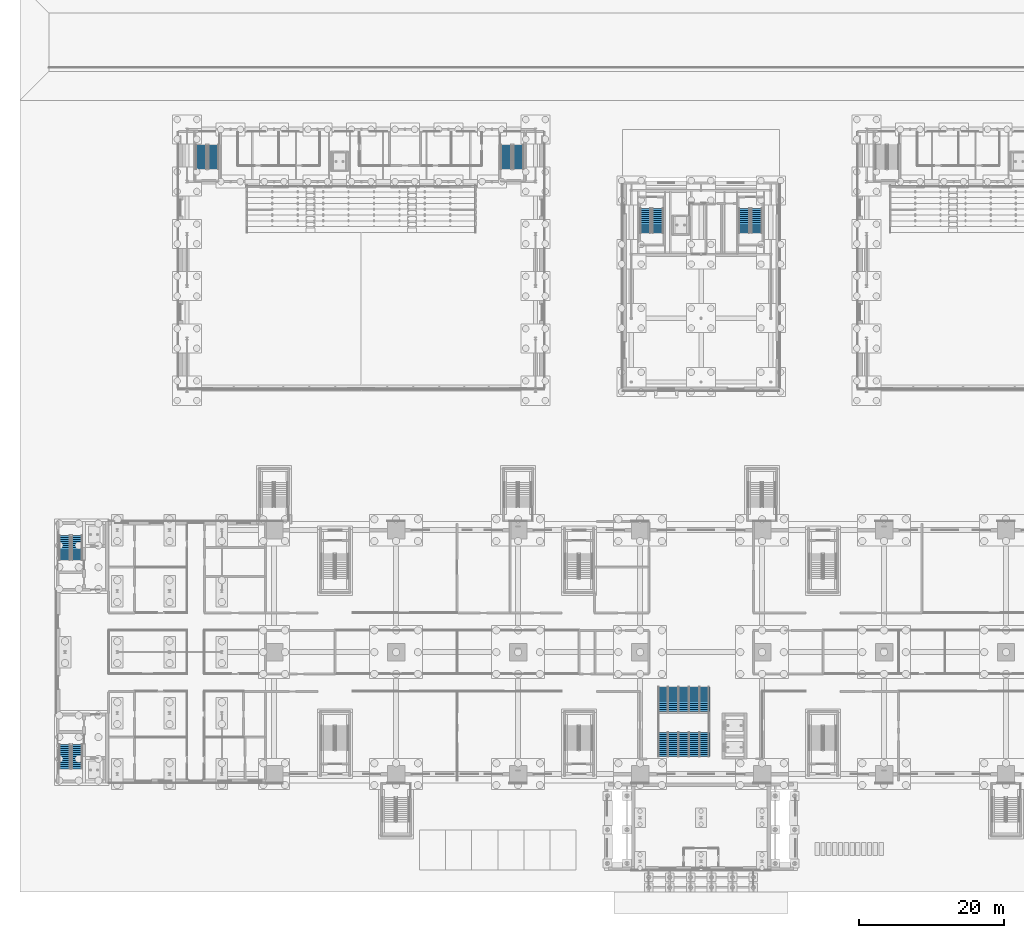
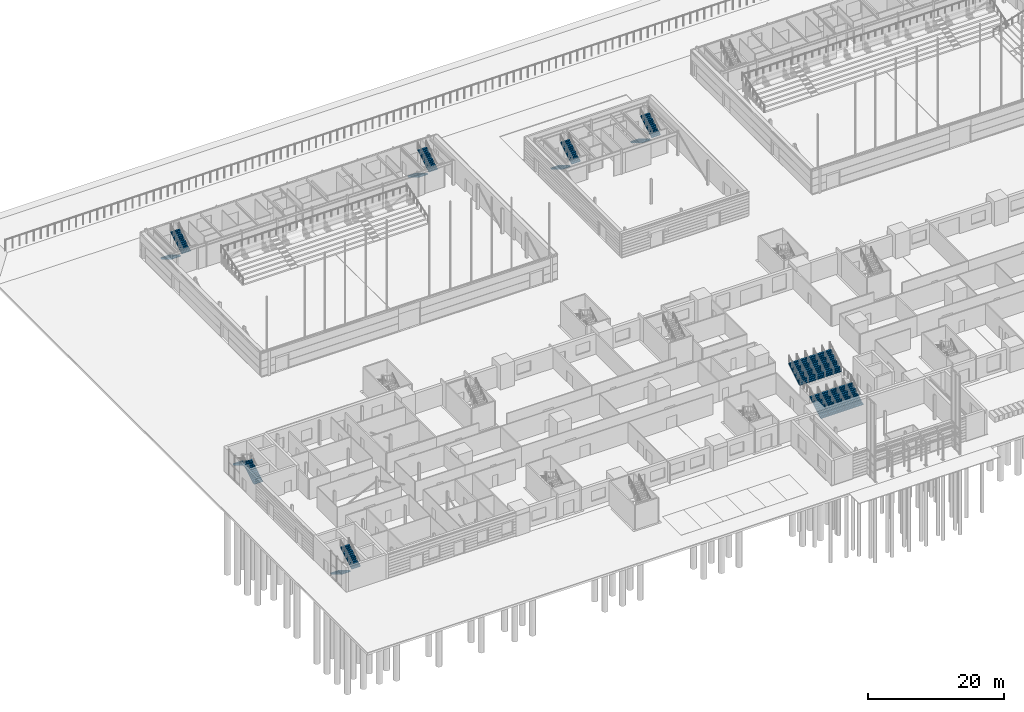
# One storey, part 91 of 139: 22 stair flights, 7 elements without a shape of their own.
"""IFC4 building model written with IfcOpenShell, lengths in metres."""

from ifc_helpers import new_model, si_unit, direction, frame, origin, place, context, subcontext, project, spatial, polyline, outline, extrude, material, type_object, element, aggregate, save


model = new_model("IFC4")

# Units and contexts
model_context = context("Model", 3, precision=1e-05, world=origin(), true_north=direction((0.0, 1.0)))
body_context = subcontext(model_context, "Body", "Model", "MODEL_VIEW")
ifc_project = project(units=[si_unit("LENGTHUNIT", "METRE"), si_unit("AREAUNIT", "SQUARE_METRE"), si_unit("VOLUMEUNIT", "CUBIC_METRE"), si_unit("PLANEANGLEUNIT", "RADIAN"), si_unit("MASSUNIT", "GRAM", prefix="KILO")], contexts=[model_context])

# Site, building, storey
site_placement = place(None, origin())
site = spatial("IfcSite", under=ifc_project, at=site_placement, CompositionType="ELEMENT")
building_placement = place(site_placement, origin())
building = spatial("IfcBuilding", under=site, at=building_placement, Name="Verrick Yard Athletic Hall", CompositionType="ELEMENT")
storey_placement = place(building_placement, origin())
storey = spatial("IfcBuildingStorey", under=building, at=storey_placement, Name="L00", CompositionType="ELEMENT", Elevation=0.0)

# Stair, stair flights
ifc_material = material(Name="Concrete 35 MPa", Category="concrete")
stair_type_1 = type_object("IfcStairType", Name="Stair ST1 1500 wide 26 risers", PredefinedType="HALF_TURN_STAIR", material=ifc_material)
stair_1_placement = place(storey_placement, origin())
stair_1 = element("IfcStair", 1, at=stair_1_placement, inside=storey, type_object=stair_type_1, Name="Wing south-west stair L00", PredefinedType="HALF_TURN_STAIR")
stair_flight_type_1 = type_object("IfcStairFlightType", Name="Stair flight SF1 1500 wide 13 risers", PredefinedType="STRAIGHT", material=ifc_material)
stair_flight_1_placement = place(storey_placement, frame((11.14990234375, 23.300048828125, 0.0), z_axis=(0.0, 0.0, 1.0), x_axis=(0.0, -1.0, 0.0)))
stair_flight_1 = element("IfcStairFlight", 2, at=stair_flight_1_placement, type_object=stair_flight_type_1, Name="ST1 flight 1", NumberOfRisers=13, NumberOfTreads=12, PredefinedType="STRAIGHT", RiserHeight=0.169230769, TreadLength=0.28, context=body_context, shape_type="SweptSolid", body=[
    extrude(outline(polyline([(0.0, 0.0), (0.0, 0.169189453125), (0.280029296875, 0.169189453125), (0.280029296875, 0.33837890625), (0.56005859375, 0.33837890625), (0.56005859375, 0.5078125), (0.840087890625, 0.5078125), (0.840087890625, 0.677001953125), (1.1201171875, 0.677001953125), (1.1201171875, 0.84619140625), (1.39990234375, 0.84619140625), (1.39990234375, 1.015380859375), (1.679931640625, 1.015380859375), (1.679931640625, 1.1845703125), (1.9599609375, 1.1845703125), (1.9599609375, 1.353759765625), (2.239990234375, 1.353759765625), (2.239990234375, 1.523193359375), (2.52001953125, 1.523193359375), (2.52001953125, 1.6923828125), (2.800048828125, 1.6923828125), (2.800048828125, 1.861572265625), (3.080078125, 1.861572265625), (3.080078125, 2.03076171875), (3.360107421875, 2.03076171875), (3.360107421875, 2.199951171875), (3.360107421875, 1.855712890625), (0.289794921875, 0.0), (0.0, 0.0)])), frame((0.0, 0.75, 0.0), z_axis=(0.0, -1.0, 0.0), x_axis=(1.0, 0.0, 0.0)), (0.0, 0.0, 1.0), 1.5),
])
stair_flight_2_placement = place(storey_placement, frame((12.85009765625, 19.93994140625, 2.199951171875), z_axis=(0.0, 0.0, 1.0), x_axis=(0.0, 1.0, 0.0)))
stair_flight_2 = element("IfcStairFlight", 3, at=stair_flight_2_placement, type_object=stair_flight_type_1, Name="ST1 flight 2", NumberOfRisers=13, NumberOfTreads=12, PredefinedType="STRAIGHT", RiserHeight=0.169230769, TreadLength=0.28, context=body_context, shape_type="SweptSolid", body=[
    extrude(outline(polyline([(0.0, 0.0), (0.0, 0.169189453125), (0.280029296875, 0.169189453125), (0.280029296875, 0.33837890625), (0.56005859375, 0.33837890625), (0.56005859375, 0.5078125), (0.840087890625, 0.5078125), (0.840087890625, 0.677001953125), (1.1201171875, 0.677001953125), (1.1201171875, 0.84619140625), (1.39990234375, 0.84619140625), (1.39990234375, 1.015380859375), (1.679931640625, 1.015380859375), (1.679931640625, 1.1845703125), (1.9599609375, 1.1845703125), (1.9599609375, 1.353759765625), (2.239990234375, 1.353759765625), (2.239990234375, 1.523193359375), (2.52001953125, 1.523193359375), (2.52001953125, 1.6923828125), (2.800048828125, 1.6923828125), (2.800048828125, 1.861572265625), (3.080078125, 1.861572265625), (3.080078125, 2.03076171875), (3.360107421875, 2.03076171875), (3.360107421875, 2.199951171875), (3.360107421875, 1.855712890625), (0.289794921875, 0.0), (0.0, 0.0)])), frame((0.0, 0.75, 0.0), z_axis=(0.0, -1.0, 0.0), x_axis=(1.0, 0.0, 0.0)), (0.0, 0.0, 1.0), 1.5),
])
aggregate(stair_1, [stair_flight_1, stair_flight_2])

stair_2_placement = place(storey_placement, origin())
stair_2 = element("IfcStair", 4, at=stair_2_placement, inside=storey, type_object=stair_type_1, Name="Wing north-west stair L00", PredefinedType="HALF_TURN_STAIR")
stair_flight_3_placement = place(storey_placement, frame((12.85009765625, 48.699951171875, 0.0), z_axis=(0.0, 0.0, 1.0), x_axis=(0.0, 1.0, 0.0)))
stair_flight_3 = element("IfcStairFlight", 5, at=stair_flight_3_placement, type_object=stair_flight_type_1, Name="ST1 flight 1", NumberOfRisers=13, NumberOfTreads=12, PredefinedType="STRAIGHT", RiserHeight=0.169230769, TreadLength=0.28, context=body_context, shape_type="SweptSolid", body=[
    extrude(outline(polyline([(0.0, 0.0), (0.0, 0.169189453125), (0.280029296875, 0.169189453125), (0.280029296875, 0.33837890625), (0.56005859375, 0.33837890625), (0.56005859375, 0.5078125), (0.840087890625, 0.5078125), (0.840087890625, 0.677001953125), (1.1201171875, 0.677001953125), (1.1201171875, 0.84619140625), (1.39990234375, 0.84619140625), (1.39990234375, 1.015380859375), (1.679931640625, 1.015380859375), (1.679931640625, 1.1845703125), (1.9599609375, 1.1845703125), (1.9599609375, 1.353759765625), (2.239990234375, 1.353759765625), (2.239990234375, 1.523193359375), (2.52001953125, 1.523193359375), (2.52001953125, 1.6923828125), (2.800048828125, 1.6923828125), (2.800048828125, 1.861572265625), (3.080078125, 1.861572265625), (3.080078125, 2.03076171875), (3.360107421875, 2.03076171875), (3.360107421875, 2.199951171875), (3.360107421875, 1.855712890625), (0.289794921875, 0.0), (0.0, 0.0)])), frame((0.0, 0.75, 0.0), z_axis=(0.0, -1.0, 0.0), x_axis=(1.0, 0.0, 0.0)), (0.0, 0.0, 1.0), 1.5),
])
stair_flight_4_placement = place(storey_placement, frame((11.14990234375, 52.06005859375, 2.199951171875), z_axis=(0.0, 0.0, 1.0), x_axis=(0.0, -1.0, 0.0)))
stair_flight_4 = element("IfcStairFlight", 6, at=stair_flight_4_placement, type_object=stair_flight_type_1, Name="ST1 flight 2", NumberOfRisers=13, NumberOfTreads=12, PredefinedType="STRAIGHT", RiserHeight=0.169230769, TreadLength=0.28, context=body_context, shape_type="SweptSolid", body=[
    extrude(outline(polyline([(0.0, 0.0), (0.0, 0.169189453125), (0.280029296875, 0.169189453125), (0.280029296875, 0.33837890625), (0.56005859375, 0.33837890625), (0.56005859375, 0.5078125), (0.840087890625, 0.5078125), (0.840087890625, 0.677001953125), (1.1201171875, 0.677001953125), (1.1201171875, 0.84619140625), (1.39990234375, 0.84619140625), (1.39990234375, 1.015380859375), (1.679931640625, 1.015380859375), (1.679931640625, 1.1845703125), (1.9599609375, 1.1845703125), (1.9599609375, 1.353759765625), (2.239990234375, 1.353759765625), (2.239990234375, 1.523193359375), (2.52001953125, 1.523193359375), (2.52001953125, 1.6923828125), (2.800048828125, 1.6923828125), (2.800048828125, 1.861572265625), (3.080078125, 1.861572265625), (3.080078125, 2.03076171875), (3.360107421875, 2.03076171875), (3.360107421875, 2.199951171875), (3.360107421875, 1.855712890625), (0.289794921875, 0.0), (0.0, 0.0)])), frame((0.0, 0.75, 0.0), z_axis=(0.0, -1.0, 0.0), x_axis=(1.0, 0.0, 0.0)), (0.0, 0.0, 1.0), 1.5),
])
aggregate(stair_2, [stair_flight_3, stair_flight_4])

stair_3_placement = place(storey_placement, origin())
stair_3 = element("IfcStair", 7, at=stair_3_placement, inside=storey, type_object=stair_type_1, Name="Climbing hall east stair L00", PredefinedType="HALF_TURN_STAIR")
stair_flight_5_placement = place(storey_placement, frame((104.75, 97.10009765625, 0.0), z_axis=(0.0, 0.0, 1.0), x_axis=(0.0, -1.0, 0.0)))
stair_flight_5 = element("IfcStairFlight", 8, at=stair_flight_5_placement, type_object=stair_flight_type_1, Name="ST1 flight 1", NumberOfRisers=13, NumberOfTreads=12, PredefinedType="STRAIGHT", RiserHeight=0.169230769, TreadLength=0.28, context=body_context, shape_type="SweptSolid", body=[
    extrude(outline(polyline([(0.0, 0.0), (0.0, 0.169189453125), (0.280029296875, 0.169189453125), (0.280029296875, 0.33837890625), (0.56005859375, 0.33837890625), (0.56005859375, 0.5078125), (0.840087890625, 0.5078125), (0.840087890625, 0.677001953125), (1.1201171875, 0.677001953125), (1.1201171875, 0.84619140625), (1.39990234375, 0.84619140625), (1.39990234375, 1.015380859375), (1.679931640625, 1.015380859375), (1.679931640625, 1.1845703125), (1.9599609375, 1.1845703125), (1.9599609375, 1.353759765625), (2.239990234375, 1.353759765625), (2.239990234375, 1.523193359375), (2.52001953125, 1.523193359375), (2.52001953125, 1.6923828125), (2.800048828125, 1.6923828125), (2.800048828125, 1.861572265625), (3.080078125, 1.861572265625), (3.080078125, 2.03076171875), (3.360107421875, 2.03076171875), (3.360107421875, 2.199951171875), (3.360107421875, 1.855712890625), (0.289794921875, 0.0), (0.0, 0.0)])), frame((0.0, 0.75, 0.0), z_axis=(0.0, -1.0, 0.0), x_axis=(1.0, 0.0, 0.0)), (0.0, 0.0, 1.0), 1.5),
])
stair_flight_6_placement = place(storey_placement, frame((106.449951171875, 93.739990234375, 2.199951171875), z_axis=(0.0, 0.0, 1.0), x_axis=(0.0, 1.0, 0.0)))
stair_flight_6 = element("IfcStairFlight", 9, at=stair_flight_6_placement, type_object=stair_flight_type_1, Name="ST1 flight 2", NumberOfRisers=13, NumberOfTreads=12, PredefinedType="STRAIGHT", RiserHeight=0.169230769, TreadLength=0.28, context=body_context, shape_type="SweptSolid", body=[
    extrude(outline(polyline([(0.0, 0.0), (0.0, 0.169189453125), (0.280029296875, 0.169189453125), (0.280029296875, 0.33837890625), (0.56005859375, 0.33837890625), (0.56005859375, 0.5078125), (0.840087890625, 0.5078125), (0.840087890625, 0.677001953125), (1.1201171875, 0.677001953125), (1.1201171875, 0.84619140625), (1.39990234375, 0.84619140625), (1.39990234375, 1.015380859375), (1.679931640625, 1.015380859375), (1.679931640625, 1.1845703125), (1.9599609375, 1.1845703125), (1.9599609375, 1.353759765625), (2.239990234375, 1.353759765625), (2.239990234375, 1.523193359375), (2.52001953125, 1.523193359375), (2.52001953125, 1.6923828125), (2.800048828125, 1.6923828125), (2.800048828125, 1.861572265625), (3.080078125, 1.861572265625), (3.080078125, 2.03076171875), (3.360107421875, 2.03076171875), (3.360107421875, 2.199951171875), (3.360107421875, 1.855712890625), (0.289794921875, 0.0), (0.0, 0.0)])), frame((0.0, 0.75, 0.0), z_axis=(0.0, -1.0, 0.0), x_axis=(1.0, 0.0, 0.0)), (0.0, 0.0, 1.0), 1.5),
])
aggregate(stair_3, [stair_flight_5, stair_flight_6])

stair_4_placement = place(storey_placement, origin())
stair_4 = element("IfcStair", 10, at=stair_4_placement, inside=storey, type_object=stair_type_1, Name="Climbing hall west stair L00", PredefinedType="HALF_TURN_STAIR")
stair_flight_7_placement = place(storey_placement, frame((91.14990234375, 97.10009765625, 0.0), z_axis=(0.0, 0.0, 1.0), x_axis=(0.0, -1.0, 0.0)))
stair_flight_7 = element("IfcStairFlight", 11, at=stair_flight_7_placement, type_object=stair_flight_type_1, Name="ST1 flight 1", NumberOfRisers=13, NumberOfTreads=12, PredefinedType="STRAIGHT", RiserHeight=0.169230769, TreadLength=0.28, context=body_context, shape_type="SweptSolid", body=[
    extrude(outline(polyline([(0.0, 0.0), (0.0, 0.169189453125), (0.280029296875, 0.169189453125), (0.280029296875, 0.33837890625), (0.56005859375, 0.33837890625), (0.56005859375, 0.5078125), (0.840087890625, 0.5078125), (0.840087890625, 0.677001953125), (1.1201171875, 0.677001953125), (1.1201171875, 0.84619140625), (1.39990234375, 0.84619140625), (1.39990234375, 1.015380859375), (1.679931640625, 1.015380859375), (1.679931640625, 1.1845703125), (1.9599609375, 1.1845703125), (1.9599609375, 1.353759765625), (2.239990234375, 1.353759765625), (2.239990234375, 1.523193359375), (2.52001953125, 1.523193359375), (2.52001953125, 1.6923828125), (2.800048828125, 1.6923828125), (2.800048828125, 1.861572265625), (3.080078125, 1.861572265625), (3.080078125, 2.03076171875), (3.360107421875, 2.03076171875), (3.360107421875, 2.199951171875), (3.360107421875, 1.855712890625), (0.289794921875, 0.0), (0.0, 0.0)])), frame((0.0, 0.75, 0.0), z_axis=(0.0, -1.0, 0.0), x_axis=(1.0, 0.0, 0.0)), (0.0, 0.0, 1.0), 1.5),
])
stair_flight_8_placement = place(storey_placement, frame((92.85009765625, 93.739990234375, 2.199951171875), z_axis=(0.0, 0.0, 1.0), x_axis=(0.0, 1.0, 0.0)))
stair_flight_8 = element("IfcStairFlight", 12, at=stair_flight_8_placement, type_object=stair_flight_type_1, Name="ST1 flight 2", NumberOfRisers=13, NumberOfTreads=12, PredefinedType="STRAIGHT", RiserHeight=0.169230769, TreadLength=0.28, context=body_context, shape_type="SweptSolid", body=[
    extrude(outline(polyline([(0.0, 0.0), (0.0, 0.169189453125), (0.280029296875, 0.169189453125), (0.280029296875, 0.33837890625), (0.56005859375, 0.33837890625), (0.56005859375, 0.5078125), (0.840087890625, 0.5078125), (0.840087890625, 0.677001953125), (1.1201171875, 0.677001953125), (1.1201171875, 0.84619140625), (1.39990234375, 0.84619140625), (1.39990234375, 1.015380859375), (1.679931640625, 1.015380859375), (1.679931640625, 1.1845703125), (1.9599609375, 1.1845703125), (1.9599609375, 1.353759765625), (2.239990234375, 1.353759765625), (2.239990234375, 1.523193359375), (2.52001953125, 1.523193359375), (2.52001953125, 1.6923828125), (2.800048828125, 1.6923828125), (2.800048828125, 1.861572265625), (3.080078125, 1.861572265625), (3.080078125, 2.03076171875), (3.360107421875, 2.03076171875), (3.360107421875, 2.199951171875), (3.360107421875, 1.855712890625), (0.289794921875, 0.0), (0.0, 0.0)])), frame((0.0, 0.75, 0.0), z_axis=(0.0, -1.0, 0.0), x_axis=(1.0, 0.0, 0.0)), (0.0, 0.0, 1.0), 1.5),
])
aggregate(stair_4, [stair_flight_7, stair_flight_8])

stair_5_placement = place(storey_placement, origin())
stair_5 = element("IfcStair", 13, at=stair_5_placement, inside=storey, type_object=stair_type_1, Name="Sports Hall B east band stair L00", PredefinedType="HALF_TURN_STAIR")
stair_flight_9_placement = place(storey_placement, frame((71.949951171875, 105.875, 0.0), z_axis=(0.0, 0.0, 1.0), x_axis=(0.0, -1.0, 0.0)))
stair_flight_9 = element("IfcStairFlight", 14, at=stair_flight_9_placement, type_object=stair_flight_type_1, Name="ST1 flight 1", NumberOfRisers=13, NumberOfTreads=12, PredefinedType="STRAIGHT", RiserHeight=0.169230769, TreadLength=0.28, context=body_context, shape_type="SweptSolid", body=[
    extrude(outline(polyline([(0.0, 0.0), (0.0, 0.169189453125), (0.280029296875, 0.169189453125), (0.280029296875, 0.33837890625), (0.56005859375, 0.33837890625), (0.56005859375, 0.5078125), (0.840087890625, 0.5078125), (0.840087890625, 0.677001953125), (1.1201171875, 0.677001953125), (1.1201171875, 0.84619140625), (1.39990234375, 0.84619140625), (1.39990234375, 1.015380859375), (1.679931640625, 1.015380859375), (1.679931640625, 1.1845703125), (1.9599609375, 1.1845703125), (1.9599609375, 1.353759765625), (2.239990234375, 1.353759765625), (2.239990234375, 1.523193359375), (2.52001953125, 1.523193359375), (2.52001953125, 1.6923828125), (2.800048828125, 1.6923828125), (2.800048828125, 1.861572265625), (3.080078125, 1.861572265625), (3.080078125, 2.03076171875), (3.360107421875, 2.03076171875), (3.360107421875, 2.199951171875), (3.360107421875, 1.855712890625), (0.289794921875, 0.0), (0.0, 0.0)])), frame((0.0, 0.75, 0.0), z_axis=(0.0, -1.0, 0.0), x_axis=(1.0, 0.0, 0.0)), (0.0, 0.0, 1.0), 1.5),
])
stair_flight_10_placement = place(storey_placement, frame((73.64990234375, 102.514892578125, 2.199951171875), z_axis=(0.0, 0.0, 1.0), x_axis=(0.0, 1.0, 0.0)))
stair_flight_10 = element("IfcStairFlight", 15, at=stair_flight_10_placement, type_object=stair_flight_type_1, Name="ST1 flight 2", NumberOfRisers=13, NumberOfTreads=12, PredefinedType="STRAIGHT", RiserHeight=0.169230769, TreadLength=0.28, context=body_context, shape_type="SweptSolid", body=[
    extrude(outline(polyline([(0.0, 0.0), (0.0, 0.169189453125), (0.280029296875, 0.169189453125), (0.280029296875, 0.33837890625), (0.56005859375, 0.33837890625), (0.56005859375, 0.5078125), (0.840087890625, 0.5078125), (0.840087890625, 0.677001953125), (1.1201171875, 0.677001953125), (1.1201171875, 0.84619140625), (1.39990234375, 0.84619140625), (1.39990234375, 1.015380859375), (1.679931640625, 1.015380859375), (1.679931640625, 1.1845703125), (1.9599609375, 1.1845703125), (1.9599609375, 1.353759765625), (2.239990234375, 1.353759765625), (2.239990234375, 1.523193359375), (2.52001953125, 1.523193359375), (2.52001953125, 1.6923828125), (2.800048828125, 1.6923828125), (2.800048828125, 1.861572265625), (3.080078125, 1.861572265625), (3.080078125, 2.03076171875), (3.360107421875, 2.03076171875), (3.360107421875, 2.199951171875), (3.360107421875, 1.855712890625), (0.289794921875, 0.0), (0.0, 0.0)])), frame((0.0, 0.75, 0.0), z_axis=(0.0, -1.0, 0.0), x_axis=(1.0, 0.0, 0.0)), (0.0, 0.0, 1.0), 1.5),
])
aggregate(stair_5, [stair_flight_9, stair_flight_10])

stair_6_placement = place(storey_placement, origin())
stair_6 = element("IfcStair", 16, at=stair_6_placement, inside=storey, type_object=stair_type_1, Name="Sports Hall B west band stair L00", PredefinedType="HALF_TURN_STAIR")
stair_flight_11_placement = place(storey_placement, frame((29.949951171875, 105.875, 0.0), z_axis=(0.0, 0.0, 1.0), x_axis=(0.0, -1.0, 0.0)))
stair_flight_11 = element("IfcStairFlight", 17, at=stair_flight_11_placement, type_object=stair_flight_type_1, Name="ST1 flight 1", NumberOfRisers=13, NumberOfTreads=12, PredefinedType="STRAIGHT", RiserHeight=0.169230769, TreadLength=0.28, context=body_context, shape_type="SweptSolid", body=[
    extrude(outline(polyline([(0.0, 0.0), (0.0, 0.169189453125), (0.280029296875, 0.169189453125), (0.280029296875, 0.33837890625), (0.56005859375, 0.33837890625), (0.56005859375, 0.5078125), (0.840087890625, 0.5078125), (0.840087890625, 0.677001953125), (1.1201171875, 0.677001953125), (1.1201171875, 0.84619140625), (1.39990234375, 0.84619140625), (1.39990234375, 1.015380859375), (1.679931640625, 1.015380859375), (1.679931640625, 1.1845703125), (1.9599609375, 1.1845703125), (1.9599609375, 1.353759765625), (2.239990234375, 1.353759765625), (2.239990234375, 1.523193359375), (2.52001953125, 1.523193359375), (2.52001953125, 1.6923828125), (2.800048828125, 1.6923828125), (2.800048828125, 1.861572265625), (3.080078125, 1.861572265625), (3.080078125, 2.03076171875), (3.360107421875, 2.03076171875), (3.360107421875, 2.199951171875), (3.360107421875, 1.855712890625), (0.289794921875, 0.0), (0.0, 0.0)])), frame((0.0, 0.75, 0.0), z_axis=(0.0, -1.0, 0.0), x_axis=(1.0, 0.0, 0.0)), (0.0, 0.0, 1.0), 1.5),
])
stair_flight_12_placement = place(storey_placement, frame((31.64990234375, 102.514892578125, 2.199951171875), z_axis=(0.0, 0.0, 1.0), x_axis=(0.0, 1.0, 0.0)))
stair_flight_12 = element("IfcStairFlight", 18, at=stair_flight_12_placement, type_object=stair_flight_type_1, Name="ST1 flight 2", NumberOfRisers=13, NumberOfTreads=12, PredefinedType="STRAIGHT", RiserHeight=0.169230769, TreadLength=0.28, context=body_context, shape_type="SweptSolid", body=[
    extrude(outline(polyline([(0.0, 0.0), (0.0, 0.169189453125), (0.280029296875, 0.169189453125), (0.280029296875, 0.33837890625), (0.56005859375, 0.33837890625), (0.56005859375, 0.5078125), (0.840087890625, 0.5078125), (0.840087890625, 0.677001953125), (1.1201171875, 0.677001953125), (1.1201171875, 0.84619140625), (1.39990234375, 0.84619140625), (1.39990234375, 1.015380859375), (1.679931640625, 1.015380859375), (1.679931640625, 1.1845703125), (1.9599609375, 1.1845703125), (1.9599609375, 1.353759765625), (2.239990234375, 1.353759765625), (2.239990234375, 1.523193359375), (2.52001953125, 1.523193359375), (2.52001953125, 1.6923828125), (2.800048828125, 1.6923828125), (2.800048828125, 1.861572265625), (3.080078125, 1.861572265625), (3.080078125, 2.03076171875), (3.360107421875, 2.03076171875), (3.360107421875, 2.199951171875), (3.360107421875, 1.855712890625), (0.289794921875, 0.0), (0.0, 0.0)])), frame((0.0, 0.75, 0.0), z_axis=(0.0, -1.0, 0.0), x_axis=(1.0, 0.0, 0.0)), (0.0, 0.0, 1.0), 1.5),
])
aggregate(stair_6, [stair_flight_11, stair_flight_12])

stair_type_2 = type_object("IfcStairType", Name="Stair ST5 7200 wide 13 risers", PredefinedType="HALF_TURN_STAIR", material=ifc_material)
stair_7_placement = place(storey_placement, origin())
stair_7 = element("IfcStair", 19, at=stair_7_placement, inside=storey, type_object=stair_type_2, Name="Foyer stair", PredefinedType="STRAIGHT_RUN_STAIR")
stair_flight_type_2 = type_object("IfcStairFlightType", Name="Stair flight SF5 1440 wide 13 risers", PredefinedType="STRAIGHT", material=ifc_material)
stair_flight_13_placement = place(storey_placement, frame((93.52001953125, 21.60009765625, 0.0), z_axis=(0.0, 0.0, 1.0), x_axis=(0.0, 1.0, 0.0)))
stair_flight_13 = element("IfcStairFlight", 20, at=stair_flight_13_placement, type_object=stair_flight_type_2, Name="ST5 flight 1", NumberOfRisers=13, NumberOfTreads=12, PredefinedType="STRAIGHT", RiserHeight=0.169230769, TreadLength=0.28, context=body_context, shape_type="SweptSolid", body=[
    extrude(outline(polyline([(0.0, 0.0), (0.0, 0.169189453125), (0.280029296875, 0.169189453125), (0.280029296875, 0.33837890625), (0.56005859375, 0.33837890625), (0.56005859375, 0.5078125), (0.840087890625, 0.5078125), (0.840087890625, 0.677001953125), (1.1201171875, 0.677001953125), (1.1201171875, 0.84619140625), (1.39990234375, 0.84619140625), (1.39990234375, 1.015380859375), (1.679931640625, 1.015380859375), (1.679931640625, 1.1845703125), (1.9599609375, 1.1845703125), (1.9599609375, 1.353759765625), (2.239990234375, 1.353759765625), (2.239990234375, 1.523193359375), (2.52001953125, 1.523193359375), (2.52001953125, 1.6923828125), (2.800048828125, 1.6923828125), (2.800048828125, 1.861572265625), (3.080078125, 1.861572265625), (3.080078125, 2.03076171875), (3.360107421875, 2.03076171875), (3.360107421875, 2.199951171875), (3.360107421875, 1.855712890625), (0.289794921875, 0.0), (0.0, 0.0)])), frame((0.0, 0.719970703125, 0.0), z_axis=(0.0, -1.0, 0.0), x_axis=(1.0, 0.0, 0.0)), (0.0, 0.0, 1.0), 1.43994140625),
])
stair_flight_14_placement = place(storey_placement, frame((94.9599609375, 21.60009765625, 0.0), z_axis=(0.0, 0.0, 1.0), x_axis=(0.0, 1.0, 0.0)))
stair_flight_14 = element("IfcStairFlight", 21, at=stair_flight_14_placement, type_object=stair_flight_type_2, Name="ST5 flight 2", NumberOfRisers=13, NumberOfTreads=12, PredefinedType="STRAIGHT", RiserHeight=0.169230769, TreadLength=0.28, context=body_context, shape_type="SweptSolid", body=[
    extrude(outline(polyline([(0.0, 0.0), (0.0, 0.169189453125), (0.280029296875, 0.169189453125), (0.280029296875, 0.33837890625), (0.56005859375, 0.33837890625), (0.56005859375, 0.5078125), (0.840087890625, 0.5078125), (0.840087890625, 0.677001953125), (1.1201171875, 0.677001953125), (1.1201171875, 0.84619140625), (1.39990234375, 0.84619140625), (1.39990234375, 1.015380859375), (1.679931640625, 1.015380859375), (1.679931640625, 1.1845703125), (1.9599609375, 1.1845703125), (1.9599609375, 1.353759765625), (2.239990234375, 1.353759765625), (2.239990234375, 1.523193359375), (2.52001953125, 1.523193359375), (2.52001953125, 1.6923828125), (2.800048828125, 1.6923828125), (2.800048828125, 1.861572265625), (3.080078125, 1.861572265625), (3.080078125, 2.03076171875), (3.360107421875, 2.03076171875), (3.360107421875, 2.199951171875), (3.360107421875, 1.855712890625), (0.289794921875, 0.0), (0.0, 0.0)])), frame((0.0, 0.719970703125, 0.0), z_axis=(0.0, -1.0, 0.0), x_axis=(1.0, 0.0, 0.0)), (0.0, 0.0, 1.0), 1.43994140625),
])
stair_flight_15_placement = place(storey_placement, frame((96.39990234375, 21.60009765625, 0.0), z_axis=(0.0, 0.0, 1.0), x_axis=(0.0, 1.0, 0.0)))
stair_flight_15 = element("IfcStairFlight", 22, at=stair_flight_15_placement, type_object=stair_flight_type_2, Name="ST5 flight 3", NumberOfRisers=13, NumberOfTreads=12, PredefinedType="STRAIGHT", RiserHeight=0.169230769, TreadLength=0.28, context=body_context, shape_type="SweptSolid", body=[
    extrude(outline(polyline([(0.0, 0.0), (0.0, 0.169189453125), (0.280029296875, 0.169189453125), (0.280029296875, 0.33837890625), (0.56005859375, 0.33837890625), (0.56005859375, 0.5078125), (0.840087890625, 0.5078125), (0.840087890625, 0.677001953125), (1.1201171875, 0.677001953125), (1.1201171875, 0.84619140625), (1.39990234375, 0.84619140625), (1.39990234375, 1.015380859375), (1.679931640625, 1.015380859375), (1.679931640625, 1.1845703125), (1.9599609375, 1.1845703125), (1.9599609375, 1.353759765625), (2.239990234375, 1.353759765625), (2.239990234375, 1.523193359375), (2.52001953125, 1.523193359375), (2.52001953125, 1.6923828125), (2.800048828125, 1.6923828125), (2.800048828125, 1.861572265625), (3.080078125, 1.861572265625), (3.080078125, 2.03076171875), (3.360107421875, 2.03076171875), (3.360107421875, 2.199951171875), (3.360107421875, 1.855712890625), (0.289794921875, 0.0), (0.0, 0.0)])), frame((0.0, 0.719970703125, 0.0), z_axis=(0.0, -1.0, 0.0), x_axis=(1.0, 0.0, 0.0)), (0.0, 0.0, 1.0), 1.43994140625),
])
stair_flight_16_placement = place(storey_placement, frame((97.840087890625, 21.60009765625, 0.0), z_axis=(0.0, 0.0, 1.0), x_axis=(0.0, 1.0, 0.0)))
stair_flight_16 = element("IfcStairFlight", 23, at=stair_flight_16_placement, type_object=stair_flight_type_2, Name="ST5 flight 4", NumberOfRisers=13, NumberOfTreads=12, PredefinedType="STRAIGHT", RiserHeight=0.169230769, TreadLength=0.28, context=body_context, shape_type="SweptSolid", body=[
    extrude(outline(polyline([(0.0, 0.0), (0.0, 0.169189453125), (0.280029296875, 0.169189453125), (0.280029296875, 0.33837890625), (0.56005859375, 0.33837890625), (0.56005859375, 0.5078125), (0.840087890625, 0.5078125), (0.840087890625, 0.677001953125), (1.1201171875, 0.677001953125), (1.1201171875, 0.84619140625), (1.39990234375, 0.84619140625), (1.39990234375, 1.015380859375), (1.679931640625, 1.015380859375), (1.679931640625, 1.1845703125), (1.9599609375, 1.1845703125), (1.9599609375, 1.353759765625), (2.239990234375, 1.353759765625), (2.239990234375, 1.523193359375), (2.52001953125, 1.523193359375), (2.52001953125, 1.6923828125), (2.800048828125, 1.6923828125), (2.800048828125, 1.861572265625), (3.080078125, 1.861572265625), (3.080078125, 2.03076171875), (3.360107421875, 2.03076171875), (3.360107421875, 2.199951171875), (3.360107421875, 1.855712890625), (0.289794921875, 0.0), (0.0, 0.0)])), frame((0.0, 0.719970703125, 0.0), z_axis=(0.0, -1.0, 0.0), x_axis=(1.0, 0.0, 0.0)), (0.0, 0.0, 1.0), 1.43994140625),
])
stair_flight_17_placement = place(storey_placement, frame((99.280029296875, 21.60009765625, 0.0), z_axis=(0.0, 0.0, 1.0), x_axis=(0.0, 1.0, 0.0)))
stair_flight_17 = element("IfcStairFlight", 24, at=stair_flight_17_placement, type_object=stair_flight_type_2, Name="ST5 flight 5", NumberOfRisers=13, NumberOfTreads=12, PredefinedType="STRAIGHT", RiserHeight=0.169230769, TreadLength=0.28, context=body_context, shape_type="SweptSolid", body=[
    extrude(outline(polyline([(0.0, 0.0), (0.0, 0.169189453125), (0.280029296875, 0.169189453125), (0.280029296875, 0.33837890625), (0.56005859375, 0.33837890625), (0.56005859375, 0.5078125), (0.840087890625, 0.5078125), (0.840087890625, 0.677001953125), (1.1201171875, 0.677001953125), (1.1201171875, 0.84619140625), (1.39990234375, 0.84619140625), (1.39990234375, 1.015380859375), (1.679931640625, 1.015380859375), (1.679931640625, 1.1845703125), (1.9599609375, 1.1845703125), (1.9599609375, 1.353759765625), (2.239990234375, 1.353759765625), (2.239990234375, 1.523193359375), (2.52001953125, 1.523193359375), (2.52001953125, 1.6923828125), (2.800048828125, 1.6923828125), (2.800048828125, 1.861572265625), (3.080078125, 1.861572265625), (3.080078125, 2.03076171875), (3.360107421875, 2.03076171875), (3.360107421875, 2.199951171875), (3.360107421875, 1.855712890625), (0.289794921875, 0.0), (0.0, 0.0)])), frame((0.0, 0.719970703125, 0.0), z_axis=(0.0, -1.0, 0.0), x_axis=(1.0, 0.0, 0.0)), (0.0, 0.0, 1.0), 1.43994140625),
])
stair_flight_18_placement = place(storey_placement, frame((93.52001953125, 27.840087890625, 2.199951171875), z_axis=(0.0, 0.0, 1.0), x_axis=(0.0, 1.0, 0.0)))
stair_flight_18 = element("IfcStairFlight", 25, at=stair_flight_18_placement, type_object=stair_flight_type_2, Name="ST5 flight 6", NumberOfRisers=13, NumberOfTreads=12, PredefinedType="STRAIGHT", RiserHeight=0.169230769, TreadLength=0.28, context=body_context, shape_type="SweptSolid", body=[
    extrude(outline(polyline([(0.0, 0.0), (0.0, 0.169189453125), (0.280029296875, 0.169189453125), (0.280029296875, 0.33837890625), (0.56005859375, 0.33837890625), (0.56005859375, 0.5078125), (0.840087890625, 0.5078125), (0.840087890625, 0.677001953125), (1.1201171875, 0.677001953125), (1.1201171875, 0.84619140625), (1.39990234375, 0.84619140625), (1.39990234375, 1.015380859375), (1.679931640625, 1.015380859375), (1.679931640625, 1.1845703125), (1.9599609375, 1.1845703125), (1.9599609375, 1.353759765625), (2.239990234375, 1.353759765625), (2.239990234375, 1.523193359375), (2.52001953125, 1.523193359375), (2.52001953125, 1.6923828125), (2.800048828125, 1.6923828125), (2.800048828125, 1.861572265625), (3.080078125, 1.861572265625), (3.080078125, 2.03076171875), (3.360107421875, 2.03076171875), (3.360107421875, 2.199951171875), (3.360107421875, 1.855712890625), (0.289794921875, 0.0), (0.0, 0.0)])), frame((0.0, 0.719970703125, 0.0), z_axis=(0.0, -1.0, 0.0), x_axis=(1.0, 0.0, 0.0)), (0.0, 0.0, 1.0), 1.43994140625),
])
stair_flight_19_placement = place(storey_placement, frame((94.9599609375, 27.840087890625, 2.199951171875), z_axis=(0.0, 0.0, 1.0), x_axis=(0.0, 1.0, 0.0)))
stair_flight_19 = element("IfcStairFlight", 26, at=stair_flight_19_placement, type_object=stair_flight_type_2, Name="ST5 flight 7", NumberOfRisers=13, NumberOfTreads=12, PredefinedType="STRAIGHT", RiserHeight=0.169230769, TreadLength=0.28, context=body_context, shape_type="SweptSolid", body=[
    extrude(outline(polyline([(0.0, 0.0), (0.0, 0.169189453125), (0.280029296875, 0.169189453125), (0.280029296875, 0.33837890625), (0.56005859375, 0.33837890625), (0.56005859375, 0.5078125), (0.840087890625, 0.5078125), (0.840087890625, 0.677001953125), (1.1201171875, 0.677001953125), (1.1201171875, 0.84619140625), (1.39990234375, 0.84619140625), (1.39990234375, 1.015380859375), (1.679931640625, 1.015380859375), (1.679931640625, 1.1845703125), (1.9599609375, 1.1845703125), (1.9599609375, 1.353759765625), (2.239990234375, 1.353759765625), (2.239990234375, 1.523193359375), (2.52001953125, 1.523193359375), (2.52001953125, 1.6923828125), (2.800048828125, 1.6923828125), (2.800048828125, 1.861572265625), (3.080078125, 1.861572265625), (3.080078125, 2.03076171875), (3.360107421875, 2.03076171875), (3.360107421875, 2.199951171875), (3.360107421875, 1.855712890625), (0.289794921875, 0.0), (0.0, 0.0)])), frame((0.0, 0.719970703125, 0.0), z_axis=(0.0, -1.0, 0.0), x_axis=(1.0, 0.0, 0.0)), (0.0, 0.0, 1.0), 1.43994140625),
])
stair_flight_20_placement = place(storey_placement, frame((96.39990234375, 27.840087890625, 2.199951171875), z_axis=(0.0, 0.0, 1.0), x_axis=(0.0, 1.0, 0.0)))
stair_flight_20 = element("IfcStairFlight", 27, at=stair_flight_20_placement, type_object=stair_flight_type_2, Name="ST5 flight 8", NumberOfRisers=13, NumberOfTreads=12, PredefinedType="STRAIGHT", RiserHeight=0.169230769, TreadLength=0.28, context=body_context, shape_type="SweptSolid", body=[
    extrude(outline(polyline([(0.0, 0.0), (0.0, 0.169189453125), (0.280029296875, 0.169189453125), (0.280029296875, 0.33837890625), (0.56005859375, 0.33837890625), (0.56005859375, 0.5078125), (0.840087890625, 0.5078125), (0.840087890625, 0.677001953125), (1.1201171875, 0.677001953125), (1.1201171875, 0.84619140625), (1.39990234375, 0.84619140625), (1.39990234375, 1.015380859375), (1.679931640625, 1.015380859375), (1.679931640625, 1.1845703125), (1.9599609375, 1.1845703125), (1.9599609375, 1.353759765625), (2.239990234375, 1.353759765625), (2.239990234375, 1.523193359375), (2.52001953125, 1.523193359375), (2.52001953125, 1.6923828125), (2.800048828125, 1.6923828125), (2.800048828125, 1.861572265625), (3.080078125, 1.861572265625), (3.080078125, 2.03076171875), (3.360107421875, 2.03076171875), (3.360107421875, 2.199951171875), (3.360107421875, 1.855712890625), (0.289794921875, 0.0), (0.0, 0.0)])), frame((0.0, 0.719970703125, 0.0), z_axis=(0.0, -1.0, 0.0), x_axis=(1.0, 0.0, 0.0)), (0.0, 0.0, 1.0), 1.43994140625),
])
stair_flight_21_placement = place(storey_placement, frame((97.840087890625, 27.840087890625, 2.199951171875), z_axis=(0.0, 0.0, 1.0), x_axis=(0.0, 1.0, 0.0)))
stair_flight_21 = element("IfcStairFlight", 28, at=stair_flight_21_placement, type_object=stair_flight_type_2, Name="ST5 flight 9", NumberOfRisers=13, NumberOfTreads=12, PredefinedType="STRAIGHT", RiserHeight=0.169230769, TreadLength=0.28, context=body_context, shape_type="SweptSolid", body=[
    extrude(outline(polyline([(0.0, 0.0), (0.0, 0.169189453125), (0.280029296875, 0.169189453125), (0.280029296875, 0.33837890625), (0.56005859375, 0.33837890625), (0.56005859375, 0.5078125), (0.840087890625, 0.5078125), (0.840087890625, 0.677001953125), (1.1201171875, 0.677001953125), (1.1201171875, 0.84619140625), (1.39990234375, 0.84619140625), (1.39990234375, 1.015380859375), (1.679931640625, 1.015380859375), (1.679931640625, 1.1845703125), (1.9599609375, 1.1845703125), (1.9599609375, 1.353759765625), (2.239990234375, 1.353759765625), (2.239990234375, 1.523193359375), (2.52001953125, 1.523193359375), (2.52001953125, 1.6923828125), (2.800048828125, 1.6923828125), (2.800048828125, 1.861572265625), (3.080078125, 1.861572265625), (3.080078125, 2.03076171875), (3.360107421875, 2.03076171875), (3.360107421875, 2.199951171875), (3.360107421875, 1.855712890625), (0.289794921875, 0.0), (0.0, 0.0)])), frame((0.0, 0.719970703125, 0.0), z_axis=(0.0, -1.0, 0.0), x_axis=(1.0, 0.0, 0.0)), (0.0, 0.0, 1.0), 1.43994140625),
])
stair_flight_22_placement = place(storey_placement, frame((99.280029296875, 27.840087890625, 2.199951171875), z_axis=(0.0, 0.0, 1.0), x_axis=(0.0, 1.0, 0.0)))
stair_flight_22 = element("IfcStairFlight", 29, at=stair_flight_22_placement, type_object=stair_flight_type_2, Name="ST5 flight 10", NumberOfRisers=13, NumberOfTreads=12, PredefinedType="STRAIGHT", RiserHeight=0.169230769, TreadLength=0.28, context=body_context, shape_type="SweptSolid", body=[
    extrude(outline(polyline([(0.0, 0.0), (0.0, 0.169189453125), (0.280029296875, 0.169189453125), (0.280029296875, 0.33837890625), (0.56005859375, 0.33837890625), (0.56005859375, 0.5078125), (0.840087890625, 0.5078125), (0.840087890625, 0.677001953125), (1.1201171875, 0.677001953125), (1.1201171875, 0.84619140625), (1.39990234375, 0.84619140625), (1.39990234375, 1.015380859375), (1.679931640625, 1.015380859375), (1.679931640625, 1.1845703125), (1.9599609375, 1.1845703125), (1.9599609375, 1.353759765625), (2.239990234375, 1.353759765625), (2.239990234375, 1.523193359375), (2.52001953125, 1.523193359375), (2.52001953125, 1.6923828125), (2.800048828125, 1.6923828125), (2.800048828125, 1.861572265625), (3.080078125, 1.861572265625), (3.080078125, 2.03076171875), (3.360107421875, 2.03076171875), (3.360107421875, 2.199951171875), (3.360107421875, 1.855712890625), (0.289794921875, 0.0), (0.0, 0.0)])), frame((0.0, 0.719970703125, 0.0), z_axis=(0.0, -1.0, 0.0), x_axis=(1.0, 0.0, 0.0)), (0.0, 0.0, 1.0), 1.43994140625),
])
aggregate(stair_7, [stair_flight_13, stair_flight_14, stair_flight_15, stair_flight_16, stair_flight_17, stair_flight_18, stair_flight_19, stair_flight_20, stair_flight_21, stair_flight_22])

save(model, "model.ifc")
